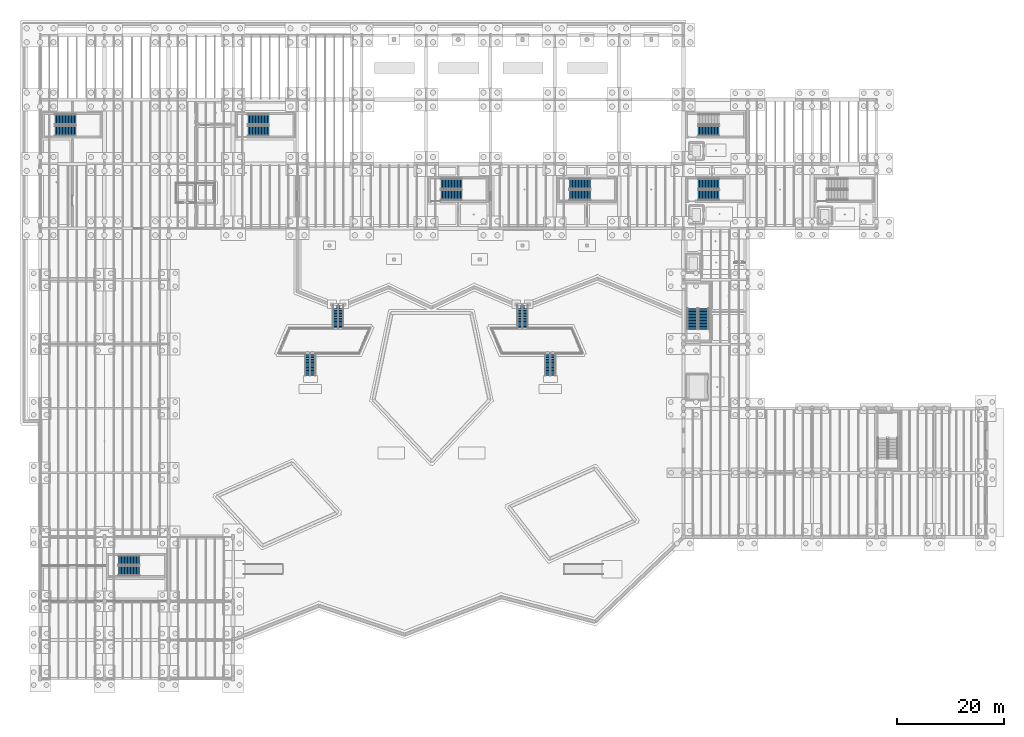
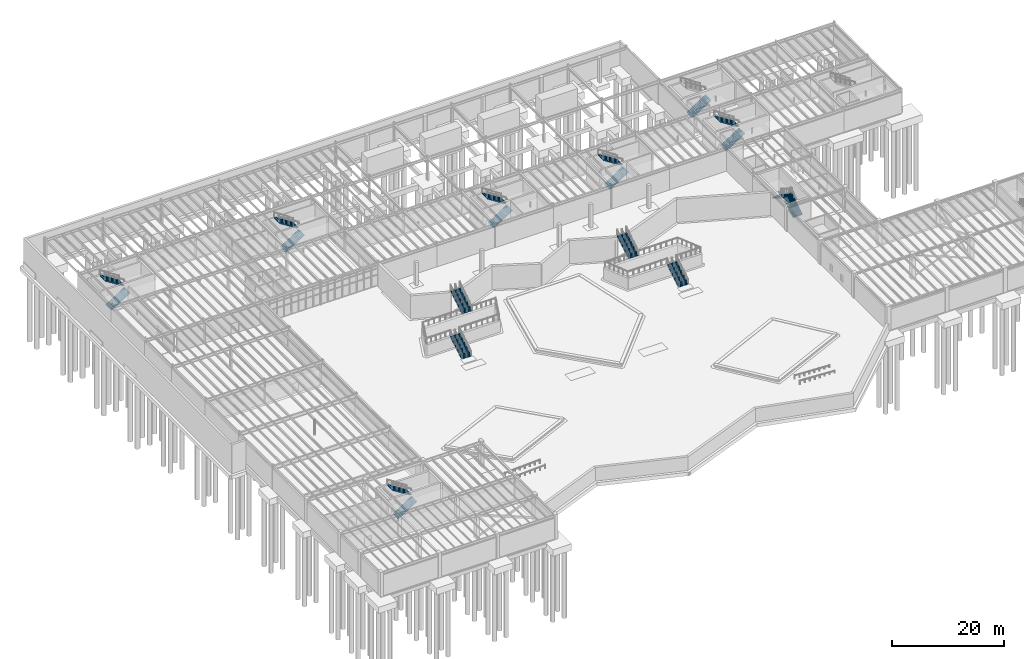
# One storey, part 40 of 67: 19 stair flights, 10 elements without a shape of their own.
"""IFC4 building model written with IfcOpenShell, lengths in metres."""

from ifc_helpers import new_model, si_unit, direction, frame, origin, place, context, subcontext, project, spatial, polyline, outline, extrude, material, type_object, element, aggregate, save


model = new_model("IFC4")

# Units and contexts
model_context = context("Model", 3, precision=1e-05, world=origin(), true_north=direction((0.0, 1.0)))
body_context = subcontext(model_context, "Body", "Model", "MODEL_VIEW")
ifc_project = project(units=[si_unit("LENGTHUNIT", "METRE"), si_unit("AREAUNIT", "SQUARE_METRE"), si_unit("VOLUMEUNIT", "CUBIC_METRE"), si_unit("PLANEANGLEUNIT", "RADIAN"), si_unit("MASSUNIT", "GRAM", prefix="KILO")], contexts=[model_context])

# Site, building, storey
site_placement = place(None, origin())
site = spatial("IfcSite", under=ifc_project, at=site_placement, CompositionType="ELEMENT")
building_placement = place(site_placement, origin())
building = spatial("IfcBuilding", under=site, at=building_placement, Name="Zlatogorsky Bluff Art Gallery", CompositionType="ELEMENT")
storey_placement = place(building_placement, frame((0.0, 0.0, -5.39990234375)))
storey = spatial("IfcBuildingStorey", under=building, at=storey_placement, Name="B1", CompositionType="ELEMENT", Elevation=-5.39990234375)

# Stair, stair flights
ifc_material = material(Name="Concrete C30/37", Category="concrete")
stair_type_1 = type_object("IfcStairType", Name="Protected Dogleg Stair ST-T1", PredefinedType="HALF_TURN_STAIR", material=ifc_material)
stair_1_placement = place(storey_placement, origin())
stair_1 = element("IfcStair", 1, at=stair_1_placement, inside=storey, type_object=stair_type_1, Name="B1 Protected Exit Stair ST-09", PredefinedType="HALF_TURN_STAIR")
stair_flight_type_1 = type_object("IfcStairFlightType", Name="Stair Flight ST-T1", PredefinedType="STRAIGHT", material=ifc_material)
stair_flight_1_placement = place(storey_placement, frame((14.60009765625, 20.10009765625, 0.0), z_axis=(0.0, 0.0, 1.0), x_axis=(1.0, 0.0, 0.0)))
stair_flight_1 = element("IfcStairFlight", 2, at=stair_flight_1_placement, type_object=stair_flight_type_1, Name="ST-09 flight 1", NumberOfRisers=15, NumberOfTreads=14, PredefinedType="STRAIGHT", RiserHeight=0.18, TreadLength=0.28, context=body_context, shape_type="SweptSolid", body=[
    extrude(outline(polyline([(0.0, 0.0), (0.0, 0.179931640625), (0.280029296875, 0.179931640625), (0.280029296875, 0.360107421875), (0.56005859375, 0.360107421875), (0.56005859375, 0.5400390625), (0.840087890625, 0.5400390625), (0.840087890625, 0.719970703125), (1.1201171875, 0.719970703125), (1.1201171875, 0.89990234375), (1.39990234375, 0.89990234375), (1.39990234375, 1.080078125), (1.679931640625, 1.080078125), (1.679931640625, 1.260009765625), (1.9599609375, 1.260009765625), (1.9599609375, 1.43994140625), (2.239990234375, 1.43994140625), (2.239990234375, 1.6201171875), (2.52001953125, 1.6201171875), (2.52001953125, 1.800048828125), (2.800048828125, 1.800048828125), (2.800048828125, 1.97998046875), (3.080078125, 1.97998046875), (3.080078125, 2.159912109375), (3.360107421875, 2.159912109375), (3.360107421875, 2.340087890625), (3.639892578125, 2.340087890625), (3.639892578125, 2.52001953125), (3.919921875, 2.52001953125), (3.919921875, 2.699951171875), (3.919921875, 2.30615234375), (0.332763671875, 0.0), (0.0, 0.0)])), frame((0.0, 0.89990234375, 0.0), z_axis=(0.0, -1.0, 0.0), x_axis=(1.0, 0.0, 0.0)), (0.0, 0.0, 1.0), 1.800048828125),
])
stair_flight_2_placement = place(storey_placement, frame((18.52001953125, 22.050048828125, 2.699951171875), z_axis=(0.0, 0.0, 1.0), x_axis=(-1.0, 0.0, 0.0)))
stair_flight_2 = element("IfcStairFlight", 3, at=stair_flight_2_placement, type_object=stair_flight_type_1, Name="ST-09 flight 2", NumberOfRisers=15, NumberOfTreads=14, PredefinedType="STRAIGHT", RiserHeight=0.18, TreadLength=0.28, context=body_context, shape_type="SweptSolid", body=[
    extrude(outline(polyline([(0.0, 0.0), (0.0, 0.179931640625), (0.280029296875, 0.179931640625), (0.280029296875, 0.360107421875), (0.56005859375, 0.360107421875), (0.56005859375, 0.5400390625), (0.840087890625, 0.5400390625), (0.840087890625, 0.719970703125), (1.1201171875, 0.719970703125), (1.1201171875, 0.89990234375), (1.39990234375, 0.89990234375), (1.39990234375, 1.080078125), (1.679931640625, 1.080078125), (1.679931640625, 1.260009765625), (1.9599609375, 1.260009765625), (1.9599609375, 1.43994140625), (2.239990234375, 1.43994140625), (2.239990234375, 1.6201171875), (2.52001953125, 1.6201171875), (2.52001953125, 1.800048828125), (2.800048828125, 1.800048828125), (2.800048828125, 1.97998046875), (3.080078125, 1.97998046875), (3.080078125, 2.159912109375), (3.360107421875, 2.159912109375), (3.360107421875, 2.340087890625), (3.639892578125, 2.340087890625), (3.639892578125, 2.52001953125), (3.919921875, 2.52001953125), (3.919921875, 2.699951171875), (3.919921875, 2.30615234375), (0.332763671875, 0.0), (0.0, 0.0)])), frame((0.0, 0.89990234375, 0.0), z_axis=(0.0, -1.0, 0.0), x_axis=(1.0, 0.0, 0.0)), (0.0, 0.0, 1.0), 1.800048828125),
])
aggregate(stair_1, [stair_flight_1, stair_flight_2])

stair_type_2 = type_object("IfcStairType", Name="Protected Dogleg Stair ST-T3", PredefinedType="HALF_TURN_STAIR", material=ifc_material)
stair_2_placement = place(storey_placement, origin())
stair_2 = element("IfcStair", 4, at=stair_2_placement, inside=storey, type_object=stair_type_2, Name="B1 Protected Exit Stair ST-01", PredefinedType="HALF_TURN_STAIR")
stair_flight_type_2 = type_object("IfcStairFlightType", Name="Stair Flight ST-T3", PredefinedType="STRAIGHT", material=ifc_material)
stair_flight_3_placement = place(storey_placement, frame((98.75, 90.175048828125, 0.0), z_axis=(0.0, 0.0, 1.0), x_axis=(1.0, 0.0, 0.0)))
stair_flight_3 = element("IfcStairFlight", 5, at=stair_flight_3_placement, type_object=stair_flight_type_2, Name="ST-01 flight 1", NumberOfRisers=15, NumberOfTreads=14, PredefinedType="STRAIGHT", RiserHeight=0.18, TreadLength=0.28, context=body_context, shape_type="SweptSolid", body=[
    extrude(outline(polyline([(0.0, 0.0), (0.0, 0.179931640625), (0.280029296875, 0.179931640625), (0.280029296875, 0.360107421875), (0.56005859375, 0.360107421875), (0.56005859375, 0.5400390625), (0.840087890625, 0.5400390625), (0.840087890625, 0.719970703125), (1.1201171875, 0.719970703125), (1.1201171875, 0.89990234375), (1.39990234375, 0.89990234375), (1.39990234375, 1.080078125), (1.679931640625, 1.080078125), (1.679931640625, 1.260009765625), (1.9599609375, 1.260009765625), (1.9599609375, 1.43994140625), (2.239990234375, 1.43994140625), (2.239990234375, 1.6201171875), (2.52001953125, 1.6201171875), (2.52001953125, 1.800048828125), (2.800048828125, 1.800048828125), (2.800048828125, 1.97998046875), (3.080078125, 1.97998046875), (3.080078125, 2.159912109375), (3.360107421875, 2.159912109375), (3.360107421875, 2.340087890625), (3.639892578125, 2.340087890625), (3.639892578125, 2.52001953125), (3.919921875, 2.52001953125), (3.919921875, 2.699951171875), (3.919921875, 2.30615234375), (0.332763671875, 0.0), (0.0, 0.0)])), frame((0.0, 0.97509765625, 0.0), z_axis=(0.0, -1.0, 0.0), x_axis=(1.0, 0.0, 0.0)), (0.0, 0.0, 1.0), 1.949951171875),
])
stair_flight_4_placement = place(storey_placement, frame((102.669921875, 92.27490234375, 2.699951171875), z_axis=(0.0, 0.0, 1.0), x_axis=(-1.0, 0.0, 0.0)))
stair_flight_4 = element("IfcStairFlight", 6, at=stair_flight_4_placement, type_object=stair_flight_type_2, Name="ST-01 flight 2", NumberOfRisers=15, NumberOfTreads=14, PredefinedType="STRAIGHT", RiserHeight=0.18, TreadLength=0.28, context=body_context, shape_type="SweptSolid", body=[
    extrude(outline(polyline([(0.0, 0.0), (0.0, 0.179931640625), (0.280029296875, 0.179931640625), (0.280029296875, 0.360107421875), (0.56005859375, 0.360107421875), (0.56005859375, 0.5400390625), (0.840087890625, 0.5400390625), (0.840087890625, 0.719970703125), (1.1201171875, 0.719970703125), (1.1201171875, 0.89990234375), (1.39990234375, 0.89990234375), (1.39990234375, 1.080078125), (1.679931640625, 1.080078125), (1.679931640625, 1.260009765625), (1.9599609375, 1.260009765625), (1.9599609375, 1.43994140625), (2.239990234375, 1.43994140625), (2.239990234375, 1.6201171875), (2.52001953125, 1.6201171875), (2.52001953125, 1.800048828125), (2.800048828125, 1.800048828125), (2.800048828125, 1.97998046875), (3.080078125, 1.97998046875), (3.080078125, 2.159912109375), (3.360107421875, 2.159912109375), (3.360107421875, 2.340087890625), (3.639892578125, 2.340087890625), (3.639892578125, 2.52001953125), (3.919921875, 2.52001953125), (3.919921875, 2.699951171875), (3.919921875, 2.30615234375), (0.332763671875, 0.0), (0.0, 0.0)])), frame((0.0, 0.97509765625, 0.0), z_axis=(0.0, -1.0, 0.0), x_axis=(1.0, 0.0, 0.0)), (0.0, 0.0, 1.0), 1.949951171875),
])
aggregate(stair_2, [stair_flight_3, stair_flight_4])

stair_3_placement = place(storey_placement, origin())
stair_3 = element("IfcStair", 7, at=stair_3_placement, inside=storey, type_object=stair_type_2, Name="B1 Protected Exit Stair ST-02", PredefinedType="HALF_TURN_STAIR")
stair_flight_5_placement = place(storey_placement, frame((122.75, 90.175048828125, 0.0), z_axis=(0.0, 0.0, 1.0), x_axis=(1.0, 0.0, 0.0)))
stair_flight_5 = element("IfcStairFlight", 8, at=stair_flight_5_placement, type_object=stair_flight_type_2, Name="ST-02 flight 1", NumberOfRisers=15, NumberOfTreads=14, PredefinedType="STRAIGHT", RiserHeight=0.18, TreadLength=0.28, context=body_context, shape_type="SweptSolid", body=[
    extrude(outline(polyline([(0.0, 0.0), (0.0, 0.179931640625), (0.280029296875, 0.179931640625), (0.280029296875, 0.360107421875), (0.56005859375, 0.360107421875), (0.56005859375, 0.5400390625), (0.840087890625, 0.5400390625), (0.840087890625, 0.719970703125), (1.1201171875, 0.719970703125), (1.1201171875, 0.89990234375), (1.39990234375, 0.89990234375), (1.39990234375, 1.080078125), (1.679931640625, 1.080078125), (1.679931640625, 1.260009765625), (1.9599609375, 1.260009765625), (1.9599609375, 1.43994140625), (2.239990234375, 1.43994140625), (2.239990234375, 1.6201171875), (2.52001953125, 1.6201171875), (2.52001953125, 1.800048828125), (2.800048828125, 1.800048828125), (2.800048828125, 1.97998046875), (3.080078125, 1.97998046875), (3.080078125, 2.159912109375), (3.360107421875, 2.159912109375), (3.360107421875, 2.340087890625), (3.639892578125, 2.340087890625), (3.639892578125, 2.52001953125), (3.919921875, 2.52001953125), (3.919921875, 2.699951171875), (3.919921875, 2.30615234375), (0.332763671875, 0.0), (0.0, 0.0)])), frame((0.0, 0.97509765625, 0.0), z_axis=(0.0, -1.0, 0.0), x_axis=(1.0, 0.0, 0.0)), (0.0, 0.0, 1.0), 1.949951171875),
])
stair_flight_6_placement = place(storey_placement, frame((126.669921875, 92.27490234375, 2.699951171875), z_axis=(0.0, 0.0, 1.0), x_axis=(-1.0, 0.0, 0.0)))
stair_flight_6 = element("IfcStairFlight", 9, at=stair_flight_6_placement, type_object=stair_flight_type_2, Name="ST-02 flight 2", NumberOfRisers=15, NumberOfTreads=14, PredefinedType="STRAIGHT", RiserHeight=0.18, TreadLength=0.28, context=body_context, shape_type="SweptSolid", body=[
    extrude(outline(polyline([(0.0, 0.0), (0.0, 0.179931640625), (0.280029296875, 0.179931640625), (0.280029296875, 0.360107421875), (0.56005859375, 0.360107421875), (0.56005859375, 0.5400390625), (0.840087890625, 0.5400390625), (0.840087890625, 0.719970703125), (1.1201171875, 0.719970703125), (1.1201171875, 0.89990234375), (1.39990234375, 0.89990234375), (1.39990234375, 1.080078125), (1.679931640625, 1.080078125), (1.679931640625, 1.260009765625), (1.9599609375, 1.260009765625), (1.9599609375, 1.43994140625), (2.239990234375, 1.43994140625), (2.239990234375, 1.6201171875), (2.52001953125, 1.6201171875), (2.52001953125, 1.800048828125), (2.800048828125, 1.800048828125), (2.800048828125, 1.97998046875), (3.080078125, 1.97998046875), (3.080078125, 2.159912109375), (3.360107421875, 2.159912109375), (3.360107421875, 2.340087890625), (3.639892578125, 2.340087890625), (3.639892578125, 2.52001953125), (3.919921875, 2.52001953125), (3.919921875, 2.699951171875), (3.919921875, 2.30615234375), (0.332763671875, 0.0), (0.0, 0.0)])), frame((0.0, 0.97509765625, 0.0), z_axis=(0.0, -1.0, 0.0), x_axis=(1.0, 0.0, 0.0)), (0.0, 0.0, 1.0), 1.949951171875),
])
aggregate(stair_3, [stair_flight_5, stair_flight_6])

# Stair, stair flight
stair_4_placement = place(storey_placement, origin())
stair_4 = element("IfcStair", 10, at=stair_4_placement, inside=storey, type_object=stair_type_2, Name="B1 Protected Exit Stair ST-03", PredefinedType="HALF_TURN_STAIR")
stair_flight_7_placement = place(storey_placement, frame((122.75, 102.175048828125, 0.0), z_axis=(0.0, 0.0, 1.0), x_axis=(1.0, 0.0, 0.0)))
stair_flight_7 = element("IfcStairFlight", 11, at=stair_flight_7_placement, type_object=stair_flight_type_2, Name="ST-03 flight 1", NumberOfRisers=15, NumberOfTreads=14, PredefinedType="STRAIGHT", RiserHeight=0.18, TreadLength=0.28, context=body_context, shape_type="SweptSolid", body=[
    extrude(outline(polyline([(0.0, 0.0), (0.0, 0.179931640625), (0.280029296875, 0.179931640625), (0.280029296875, 0.360107421875), (0.56005859375, 0.360107421875), (0.56005859375, 0.5400390625), (0.840087890625, 0.5400390625), (0.840087890625, 0.719970703125), (1.1201171875, 0.719970703125), (1.1201171875, 0.89990234375), (1.39990234375, 0.89990234375), (1.39990234375, 1.080078125), (1.679931640625, 1.080078125), (1.679931640625, 1.260009765625), (1.9599609375, 1.260009765625), (1.9599609375, 1.43994140625), (2.239990234375, 1.43994140625), (2.239990234375, 1.6201171875), (2.52001953125, 1.6201171875), (2.52001953125, 1.800048828125), (2.800048828125, 1.800048828125), (2.800048828125, 1.97998046875), (3.080078125, 1.97998046875), (3.080078125, 2.159912109375), (3.360107421875, 2.159912109375), (3.360107421875, 2.340087890625), (3.639892578125, 2.340087890625), (3.639892578125, 2.52001953125), (3.919921875, 2.52001953125), (3.919921875, 2.699951171875), (3.919921875, 2.30615234375), (0.332763671875, 0.0), (0.0, 0.0)])), frame((0.0, 0.97509765625, 0.0), z_axis=(0.0, -1.0, 0.0), x_axis=(1.0, 0.0, 0.0)), (0.0, 0.0, 1.0), 1.949951171875),
])
aggregate(stair_4, [stair_flight_7])

# Stair, stair flights
stair_5_placement = place(storey_placement, origin())
stair_5 = element("IfcStair", 12, at=stair_5_placement, inside=storey, type_object=stair_type_2, Name="B1 Protected Exit Stair ST-05", PredefinedType="HALF_TURN_STAIR")
stair_flight_8_placement = place(storey_placement, frame((2.75, 102.175048828125, 0.0), z_axis=(0.0, 0.0, 1.0), x_axis=(1.0, 0.0, 0.0)))
stair_flight_8 = element("IfcStairFlight", 13, at=stair_flight_8_placement, type_object=stair_flight_type_2, Name="ST-05 flight 1", NumberOfRisers=15, NumberOfTreads=14, PredefinedType="STRAIGHT", RiserHeight=0.18, TreadLength=0.28, context=body_context, shape_type="SweptSolid", body=[
    extrude(outline(polyline([(0.0, 0.0), (0.0, 0.179931640625), (0.280029296875, 0.179931640625), (0.280029296875, 0.360107421875), (0.56005859375, 0.360107421875), (0.56005859375, 0.5400390625), (0.840087890625, 0.5400390625), (0.840087890625, 0.719970703125), (1.1201171875, 0.719970703125), (1.1201171875, 0.89990234375), (1.39990234375, 0.89990234375), (1.39990234375, 1.080078125), (1.679931640625, 1.080078125), (1.679931640625, 1.260009765625), (1.9599609375, 1.260009765625), (1.9599609375, 1.43994140625), (2.239990234375, 1.43994140625), (2.239990234375, 1.6201171875), (2.52001953125, 1.6201171875), (2.52001953125, 1.800048828125), (2.800048828125, 1.800048828125), (2.800048828125, 1.97998046875), (3.080078125, 1.97998046875), (3.080078125, 2.159912109375), (3.360107421875, 2.159912109375), (3.360107421875, 2.340087890625), (3.639892578125, 2.340087890625), (3.639892578125, 2.52001953125), (3.919921875, 2.52001953125), (3.919921875, 2.699951171875), (3.919921875, 2.30615234375), (0.332763671875, 0.0), (0.0, 0.0)])), frame((0.0, 0.97509765625, 0.0), z_axis=(0.0, -1.0, 0.0), x_axis=(1.0, 0.0, 0.0)), (0.0, 0.0, 1.0), 1.949951171875),
])
stair_flight_9_placement = place(storey_placement, frame((6.669921875, 104.27490234375, 2.699951171875), z_axis=(0.0, 0.0, 1.0), x_axis=(-1.0, 0.0, 0.0)))
stair_flight_9 = element("IfcStairFlight", 14, at=stair_flight_9_placement, type_object=stair_flight_type_2, Name="ST-05 flight 2", NumberOfRisers=15, NumberOfTreads=14, PredefinedType="STRAIGHT", RiserHeight=0.18, TreadLength=0.28, context=body_context, shape_type="SweptSolid", body=[
    extrude(outline(polyline([(0.0, 0.0), (0.0, 0.179931640625), (0.280029296875, 0.179931640625), (0.280029296875, 0.360107421875), (0.56005859375, 0.360107421875), (0.56005859375, 0.5400390625), (0.840087890625, 0.5400390625), (0.840087890625, 0.719970703125), (1.1201171875, 0.719970703125), (1.1201171875, 0.89990234375), (1.39990234375, 0.89990234375), (1.39990234375, 1.080078125), (1.679931640625, 1.080078125), (1.679931640625, 1.260009765625), (1.9599609375, 1.260009765625), (1.9599609375, 1.43994140625), (2.239990234375, 1.43994140625), (2.239990234375, 1.6201171875), (2.52001953125, 1.6201171875), (2.52001953125, 1.800048828125), (2.800048828125, 1.800048828125), (2.800048828125, 1.97998046875), (3.080078125, 1.97998046875), (3.080078125, 2.159912109375), (3.360107421875, 2.159912109375), (3.360107421875, 2.340087890625), (3.639892578125, 2.340087890625), (3.639892578125, 2.52001953125), (3.919921875, 2.52001953125), (3.919921875, 2.699951171875), (3.919921875, 2.30615234375), (0.332763671875, 0.0), (0.0, 0.0)])), frame((0.0, 0.97509765625, 0.0), z_axis=(0.0, -1.0, 0.0), x_axis=(1.0, 0.0, 0.0)), (0.0, 0.0, 1.0), 1.949951171875),
])
aggregate(stair_5, [stair_flight_8, stair_flight_9])

stair_6_placement = place(storey_placement, origin())
stair_6 = element("IfcStair", 15, at=stair_6_placement, inside=storey, type_object=stair_type_2, Name="B1 Protected Exit Stair ST-06", PredefinedType="HALF_TURN_STAIR")
stair_flight_10_placement = place(storey_placement, frame((123.77490234375, 65.14990234375, 0.0), z_axis=(0.0, 0.0, 1.0), x_axis=(0.0, 1.0, 0.0)))
stair_flight_10 = element("IfcStairFlight", 16, at=stair_flight_10_placement, type_object=stair_flight_type_2, Name="ST-06 flight 1", NumberOfRisers=15, NumberOfTreads=14, PredefinedType="STRAIGHT", RiserHeight=0.18, TreadLength=0.28, context=body_context, shape_type="SweptSolid", body=[
    extrude(outline(polyline([(0.0, 0.0), (0.0, 0.179931640625), (0.280029296875, 0.179931640625), (0.280029296875, 0.360107421875), (0.56005859375, 0.360107421875), (0.56005859375, 0.5400390625), (0.840087890625, 0.5400390625), (0.840087890625, 0.719970703125), (1.1201171875, 0.719970703125), (1.1201171875, 0.89990234375), (1.39990234375, 0.89990234375), (1.39990234375, 1.080078125), (1.679931640625, 1.080078125), (1.679931640625, 1.260009765625), (1.9599609375, 1.260009765625), (1.9599609375, 1.43994140625), (2.239990234375, 1.43994140625), (2.239990234375, 1.6201171875), (2.52001953125, 1.6201171875), (2.52001953125, 1.800048828125), (2.800048828125, 1.800048828125), (2.800048828125, 1.97998046875), (3.080078125, 1.97998046875), (3.080078125, 2.159912109375), (3.360107421875, 2.159912109375), (3.360107421875, 2.340087890625), (3.639892578125, 2.340087890625), (3.639892578125, 2.52001953125), (3.919921875, 2.52001953125), (3.919921875, 2.699951171875), (3.919921875, 2.30615234375), (0.332763671875, 0.0), (0.0, 0.0)])), frame((0.0, 0.97509765625, 0.0), z_axis=(0.0, -1.0, 0.0), x_axis=(1.0, 0.0, 0.0)), (0.0, 0.0, 1.0), 1.949951171875),
])
stair_flight_11_placement = place(storey_placement, frame((121.675048828125, 69.070068359375, 2.699951171875), z_axis=(0.0, 0.0, 1.0), x_axis=(0.0, -1.0, 0.0)))
stair_flight_11 = element("IfcStairFlight", 17, at=stair_flight_11_placement, type_object=stair_flight_type_2, Name="ST-06 flight 2", NumberOfRisers=15, NumberOfTreads=14, PredefinedType="STRAIGHT", RiserHeight=0.18, TreadLength=0.28, context=body_context, shape_type="SweptSolid", body=[
    extrude(outline(polyline([(0.0, 0.0), (0.0, 0.179931640625), (0.280029296875, 0.179931640625), (0.280029296875, 0.360107421875), (0.56005859375, 0.360107421875), (0.56005859375, 0.5400390625), (0.840087890625, 0.5400390625), (0.840087890625, 0.719970703125), (1.1201171875, 0.719970703125), (1.1201171875, 0.89990234375), (1.39990234375, 0.89990234375), (1.39990234375, 1.080078125), (1.679931640625, 1.080078125), (1.679931640625, 1.260009765625), (1.9599609375, 1.260009765625), (1.9599609375, 1.43994140625), (2.239990234375, 1.43994140625), (2.239990234375, 1.6201171875), (2.52001953125, 1.6201171875), (2.52001953125, 1.800048828125), (2.800048828125, 1.800048828125), (2.800048828125, 1.97998046875), (3.080078125, 1.97998046875), (3.080078125, 2.159912109375), (3.360107421875, 2.159912109375), (3.360107421875, 2.340087890625), (3.639892578125, 2.340087890625), (3.639892578125, 2.52001953125), (3.919921875, 2.52001953125), (3.919921875, 2.699951171875), (3.919921875, 2.30615234375), (0.332763671875, 0.0), (0.0, 0.0)])), frame((0.0, 0.97509765625, 0.0), z_axis=(0.0, -1.0, 0.0), x_axis=(1.0, 0.0, 0.0)), (0.0, 0.0, 1.0), 1.949951171875),
])
aggregate(stair_6, [stair_flight_10, stair_flight_11])

stair_7_placement = place(storey_placement, origin())
stair_7 = element("IfcStair", 18, at=stair_7_placement, inside=storey, type_object=stair_type_2, Name="B1 Protected Exit Stair ST-07", PredefinedType="HALF_TURN_STAIR")
stair_flight_12_placement = place(storey_placement, frame((38.75, 102.175048828125, 0.0), z_axis=(0.0, 0.0, 1.0), x_axis=(1.0, 0.0, 0.0)))
stair_flight_12 = element("IfcStairFlight", 19, at=stair_flight_12_placement, type_object=stair_flight_type_2, Name="ST-07 flight 1", NumberOfRisers=15, NumberOfTreads=14, PredefinedType="STRAIGHT", RiserHeight=0.18, TreadLength=0.28, context=body_context, shape_type="SweptSolid", body=[
    extrude(outline(polyline([(0.0, 0.0), (0.0, 0.179931640625), (0.280029296875, 0.179931640625), (0.280029296875, 0.360107421875), (0.56005859375, 0.360107421875), (0.56005859375, 0.5400390625), (0.840087890625, 0.5400390625), (0.840087890625, 0.719970703125), (1.1201171875, 0.719970703125), (1.1201171875, 0.89990234375), (1.39990234375, 0.89990234375), (1.39990234375, 1.080078125), (1.679931640625, 1.080078125), (1.679931640625, 1.260009765625), (1.9599609375, 1.260009765625), (1.9599609375, 1.43994140625), (2.239990234375, 1.43994140625), (2.239990234375, 1.6201171875), (2.52001953125, 1.6201171875), (2.52001953125, 1.800048828125), (2.800048828125, 1.800048828125), (2.800048828125, 1.97998046875), (3.080078125, 1.97998046875), (3.080078125, 2.159912109375), (3.360107421875, 2.159912109375), (3.360107421875, 2.340087890625), (3.639892578125, 2.340087890625), (3.639892578125, 2.52001953125), (3.919921875, 2.52001953125), (3.919921875, 2.699951171875), (3.919921875, 2.30615234375), (0.332763671875, 0.0), (0.0, 0.0)])), frame((0.0, 0.97509765625, 0.0), z_axis=(0.0, -1.0, 0.0), x_axis=(1.0, 0.0, 0.0)), (0.0, 0.0, 1.0), 1.949951171875),
])
stair_flight_13_placement = place(storey_placement, frame((42.669921875, 104.27490234375, 2.699951171875), z_axis=(0.0, 0.0, 1.0), x_axis=(-1.0, 0.0, 0.0)))
stair_flight_13 = element("IfcStairFlight", 20, at=stair_flight_13_placement, type_object=stair_flight_type_2, Name="ST-07 flight 2", NumberOfRisers=15, NumberOfTreads=14, PredefinedType="STRAIGHT", RiserHeight=0.18, TreadLength=0.28, context=body_context, shape_type="SweptSolid", body=[
    extrude(outline(polyline([(0.0, 0.0), (0.0, 0.179931640625), (0.280029296875, 0.179931640625), (0.280029296875, 0.360107421875), (0.56005859375, 0.360107421875), (0.56005859375, 0.5400390625), (0.840087890625, 0.5400390625), (0.840087890625, 0.719970703125), (1.1201171875, 0.719970703125), (1.1201171875, 0.89990234375), (1.39990234375, 0.89990234375), (1.39990234375, 1.080078125), (1.679931640625, 1.080078125), (1.679931640625, 1.260009765625), (1.9599609375, 1.260009765625), (1.9599609375, 1.43994140625), (2.239990234375, 1.43994140625), (2.239990234375, 1.6201171875), (2.52001953125, 1.6201171875), (2.52001953125, 1.800048828125), (2.800048828125, 1.800048828125), (2.800048828125, 1.97998046875), (3.080078125, 1.97998046875), (3.080078125, 2.159912109375), (3.360107421875, 2.159912109375), (3.360107421875, 2.340087890625), (3.639892578125, 2.340087890625), (3.639892578125, 2.52001953125), (3.919921875, 2.52001953125), (3.919921875, 2.699951171875), (3.919921875, 2.30615234375), (0.332763671875, 0.0), (0.0, 0.0)])), frame((0.0, 0.97509765625, 0.0), z_axis=(0.0, -1.0, 0.0), x_axis=(1.0, 0.0, 0.0)), (0.0, 0.0, 1.0), 1.949951171875),
])
aggregate(stair_7, [stair_flight_12, stair_flight_13])

stair_8_placement = place(storey_placement, origin())
stair_8 = element("IfcStair", 21, at=stair_8_placement, inside=storey, type_object=stair_type_2, Name="B1 Protected Exit Stair ST-08", PredefinedType="HALF_TURN_STAIR")
stair_flight_14_placement = place(storey_placement, frame((74.75, 90.175048828125, 0.0), z_axis=(0.0, 0.0, 1.0), x_axis=(1.0, 0.0, 0.0)))
stair_flight_14 = element("IfcStairFlight", 22, at=stair_flight_14_placement, type_object=stair_flight_type_2, Name="ST-08 flight 1", NumberOfRisers=15, NumberOfTreads=14, PredefinedType="STRAIGHT", RiserHeight=0.18, TreadLength=0.28, context=body_context, shape_type="SweptSolid", body=[
    extrude(outline(polyline([(0.0, 0.0), (0.0, 0.179931640625), (0.280029296875, 0.179931640625), (0.280029296875, 0.360107421875), (0.56005859375, 0.360107421875), (0.56005859375, 0.5400390625), (0.840087890625, 0.5400390625), (0.840087890625, 0.719970703125), (1.1201171875, 0.719970703125), (1.1201171875, 0.89990234375), (1.39990234375, 0.89990234375), (1.39990234375, 1.080078125), (1.679931640625, 1.080078125), (1.679931640625, 1.260009765625), (1.9599609375, 1.260009765625), (1.9599609375, 1.43994140625), (2.239990234375, 1.43994140625), (2.239990234375, 1.6201171875), (2.52001953125, 1.6201171875), (2.52001953125, 1.800048828125), (2.800048828125, 1.800048828125), (2.800048828125, 1.97998046875), (3.080078125, 1.97998046875), (3.080078125, 2.159912109375), (3.360107421875, 2.159912109375), (3.360107421875, 2.340087890625), (3.639892578125, 2.340087890625), (3.639892578125, 2.52001953125), (3.919921875, 2.52001953125), (3.919921875, 2.699951171875), (3.919921875, 2.30615234375), (0.332763671875, 0.0), (0.0, 0.0)])), frame((0.0, 0.97509765625, 0.0), z_axis=(0.0, -1.0, 0.0), x_axis=(1.0, 0.0, 0.0)), (0.0, 0.0, 1.0), 1.949951171875),
])
stair_flight_15_placement = place(storey_placement, frame((78.669921875, 92.27490234375, 2.699951171875), z_axis=(0.0, 0.0, 1.0), x_axis=(-1.0, 0.0, 0.0)))
stair_flight_15 = element("IfcStairFlight", 23, at=stair_flight_15_placement, type_object=stair_flight_type_2, Name="ST-08 flight 2", NumberOfRisers=15, NumberOfTreads=14, PredefinedType="STRAIGHT", RiserHeight=0.18, TreadLength=0.28, context=body_context, shape_type="SweptSolid", body=[
    extrude(outline(polyline([(0.0, 0.0), (0.0, 0.179931640625), (0.280029296875, 0.179931640625), (0.280029296875, 0.360107421875), (0.56005859375, 0.360107421875), (0.56005859375, 0.5400390625), (0.840087890625, 0.5400390625), (0.840087890625, 0.719970703125), (1.1201171875, 0.719970703125), (1.1201171875, 0.89990234375), (1.39990234375, 0.89990234375), (1.39990234375, 1.080078125), (1.679931640625, 1.080078125), (1.679931640625, 1.260009765625), (1.9599609375, 1.260009765625), (1.9599609375, 1.43994140625), (2.239990234375, 1.43994140625), (2.239990234375, 1.6201171875), (2.52001953125, 1.6201171875), (2.52001953125, 1.800048828125), (2.800048828125, 1.800048828125), (2.800048828125, 1.97998046875), (3.080078125, 1.97998046875), (3.080078125, 2.159912109375), (3.360107421875, 2.159912109375), (3.360107421875, 2.340087890625), (3.639892578125, 2.340087890625), (3.639892578125, 2.52001953125), (3.919921875, 2.52001953125), (3.919921875, 2.699951171875), (3.919921875, 2.30615234375), (0.332763671875, 0.0), (0.0, 0.0)])), frame((0.0, 0.97509765625, 0.0), z_axis=(0.0, -1.0, 0.0), x_axis=(1.0, 0.0, 0.0)), (0.0, 0.0, 1.0), 1.949951171875),
])
aggregate(stair_8, [stair_flight_14, stair_flight_15])

stair_type_3 = type_object("IfcStairType", Name="Protected Dogleg Stair ST-T3A", PredefinedType="HALF_TURN_STAIR", material=ifc_material)
stair_9_placement = place(storey_placement, origin())
stair_9 = element("IfcStair", 24, at=stair_9_placement, inside=storey, type_object=stair_type_3, Name="West Sunken Education Court Monumental Amphitheatre Stair", PredefinedType="HALF_TURN_STAIR")
stair_flight_type_3 = type_object("IfcStairFlightType", Name="Stair Flight ST-T3A", PredefinedType="STRAIGHT", material=ifc_material)
stair_flight_16_placement = place(storey_placement, frame((50.39990234375, 56.550048828125, 0.0), z_axis=(0.0, 0.0, 1.0), x_axis=(0.0, 1.0, 0.0)))
stair_flight_16 = element("IfcStairFlight", 25, at=stair_flight_16_placement, type_object=stair_flight_type_3, Name="West Sunken Education Court Monumental Amphitheatre Stair lower flight", NumberOfRisers=15, NumberOfTreads=14, PredefinedType="STRAIGHT", RiserHeight=0.18, TreadLength=0.3, context=body_context, shape_type="SweptSolid", body=[
    extrude(outline(polyline([(0.0, 0.0), (0.0, 0.179931640625), (0.300048828125, 0.179931640625), (0.300048828125, 0.360107421875), (0.60009765625, 0.360107421875), (0.60009765625, 0.5400390625), (0.89990234375, 0.5400390625), (0.89990234375, 0.719970703125), (1.199951171875, 0.719970703125), (1.199951171875, 0.89990234375), (1.5, 0.89990234375), (1.5, 1.080078125), (1.800048828125, 1.080078125), (1.800048828125, 1.260009765625), (2.10009765625, 1.260009765625), (2.10009765625, 1.43994140625), (2.39990234375, 1.43994140625), (2.39990234375, 1.6201171875), (2.699951171875, 1.6201171875), (2.699951171875, 1.800048828125), (3.0, 1.800048828125), (3.0, 1.97998046875), (3.300048828125, 1.97998046875), (3.300048828125, 2.159912109375), (3.60009765625, 2.159912109375), (3.60009765625, 2.340087890625), (3.89990234375, 2.340087890625), (3.89990234375, 2.52001953125), (4.199951171875, 2.52001953125), (4.199951171875, 2.699951171875), (4.199951171875, 2.31005859375), (0.349609375, 0.0), (0.0, 0.0)])), frame((0.0, 1.0, 0.0), z_axis=(0.0, -1.0, 0.0), x_axis=(1.0, 0.0, 0.0)), (0.0, 0.0, 1.0), 2.0),
])
stair_flight_17_placement = place(storey_placement, frame((55.60009765625, 65.39990234375, 2.699951171875), z_axis=(0.0, 0.0, 1.0), x_axis=(0.0, 1.0, 0.0)))
stair_flight_17 = element("IfcStairFlight", 26, at=stair_flight_17_placement, type_object=stair_flight_type_3, Name="West Sunken Education Court Monumental Amphitheatre Stair upper flight", NumberOfRisers=15, NumberOfTreads=14, PredefinedType="STRAIGHT", RiserHeight=0.18, TreadLength=0.3, context=body_context, shape_type="SweptSolid", body=[
    extrude(outline(polyline([(0.0, 0.0), (0.0, 0.179931640625), (0.300048828125, 0.179931640625), (0.300048828125, 0.360107421875), (0.60009765625, 0.360107421875), (0.60009765625, 0.5400390625), (0.89990234375, 0.5400390625), (0.89990234375, 0.719970703125), (1.199951171875, 0.719970703125), (1.199951171875, 0.89990234375), (1.5, 0.89990234375), (1.5, 1.080078125), (1.800048828125, 1.080078125), (1.800048828125, 1.260009765625), (2.10009765625, 1.260009765625), (2.10009765625, 1.43994140625), (2.39990234375, 1.43994140625), (2.39990234375, 1.6201171875), (2.699951171875, 1.6201171875), (2.699951171875, 1.800048828125), (3.0, 1.800048828125), (3.0, 1.97998046875), (3.300048828125, 1.97998046875), (3.300048828125, 2.159912109375), (3.60009765625, 2.159912109375), (3.60009765625, 2.340087890625), (3.89990234375, 2.340087890625), (3.89990234375, 2.52001953125), (4.199951171875, 2.52001953125), (4.199951171875, 2.699951171875), (4.199951171875, 2.31005859375), (0.349609375, 0.0), (0.0, 0.0)])), frame((0.0, 1.0, 0.0), z_axis=(0.0, -1.0, 0.0), x_axis=(1.0, 0.0, 0.0)), (0.0, 0.0, 1.0), 2.0),
])
aggregate(stair_9, [stair_flight_16, stair_flight_17])

stair_10_placement = place(storey_placement, origin())
stair_10 = element("IfcStair", 27, at=stair_10_placement, inside=storey, type_object=stair_type_3, Name="East Sunken Sculpture Court Monumental Amphitheatre Stair", PredefinedType="HALF_TURN_STAIR")
stair_flight_18_placement = place(storey_placement, frame((95.199951171875, 56.550048828125, 0.0), z_axis=(0.0, 0.0, 1.0), x_axis=(0.0, 1.0, 0.0)))
stair_flight_18 = element("IfcStairFlight", 28, at=stair_flight_18_placement, type_object=stair_flight_type_3, Name="East Sunken Sculpture Court Monumental Amphitheatre Stair lower flight", NumberOfRisers=15, NumberOfTreads=14, PredefinedType="STRAIGHT", RiserHeight=0.18, TreadLength=0.3, context=body_context, shape_type="SweptSolid", body=[
    extrude(outline(polyline([(0.0, 0.0), (0.0, 0.179931640625), (0.300048828125, 0.179931640625), (0.300048828125, 0.360107421875), (0.60009765625, 0.360107421875), (0.60009765625, 0.5400390625), (0.89990234375, 0.5400390625), (0.89990234375, 0.719970703125), (1.199951171875, 0.719970703125), (1.199951171875, 0.89990234375), (1.5, 0.89990234375), (1.5, 1.080078125), (1.800048828125, 1.080078125), (1.800048828125, 1.260009765625), (2.10009765625, 1.260009765625), (2.10009765625, 1.43994140625), (2.39990234375, 1.43994140625), (2.39990234375, 1.6201171875), (2.699951171875, 1.6201171875), (2.699951171875, 1.800048828125), (3.0, 1.800048828125), (3.0, 1.97998046875), (3.300048828125, 1.97998046875), (3.300048828125, 2.159912109375), (3.60009765625, 2.159912109375), (3.60009765625, 2.340087890625), (3.89990234375, 2.340087890625), (3.89990234375, 2.52001953125), (4.199951171875, 2.52001953125), (4.199951171875, 2.699951171875), (4.199951171875, 2.31005859375), (0.349609375, 0.0), (0.0, 0.0)])), frame((0.0, 1.0, 0.0), z_axis=(0.0, -1.0, 0.0), x_axis=(1.0, 0.0, 0.0)), (0.0, 0.0, 1.0), 2.0),
])
stair_flight_19_placement = place(storey_placement, frame((90.0, 65.39990234375, 2.699951171875), z_axis=(0.0, 0.0, 1.0), x_axis=(0.0, 1.0, 0.0)))
stair_flight_19 = element("IfcStairFlight", 29, at=stair_flight_19_placement, type_object=stair_flight_type_3, Name="East Sunken Sculpture Court Monumental Amphitheatre Stair upper flight", NumberOfRisers=15, NumberOfTreads=14, PredefinedType="STRAIGHT", RiserHeight=0.18, TreadLength=0.3, context=body_context, shape_type="SweptSolid", body=[
    extrude(outline(polyline([(0.0, 0.0), (0.0, 0.179931640625), (0.300048828125, 0.179931640625), (0.300048828125, 0.360107421875), (0.60009765625, 0.360107421875), (0.60009765625, 0.5400390625), (0.89990234375, 0.5400390625), (0.89990234375, 0.719970703125), (1.199951171875, 0.719970703125), (1.199951171875, 0.89990234375), (1.5, 0.89990234375), (1.5, 1.080078125), (1.800048828125, 1.080078125), (1.800048828125, 1.260009765625), (2.10009765625, 1.260009765625), (2.10009765625, 1.43994140625), (2.39990234375, 1.43994140625), (2.39990234375, 1.6201171875), (2.699951171875, 1.6201171875), (2.699951171875, 1.800048828125), (3.0, 1.800048828125), (3.0, 1.97998046875), (3.300048828125, 1.97998046875), (3.300048828125, 2.159912109375), (3.60009765625, 2.159912109375), (3.60009765625, 2.340087890625), (3.89990234375, 2.340087890625), (3.89990234375, 2.52001953125), (4.199951171875, 2.52001953125), (4.199951171875, 2.699951171875), (4.199951171875, 2.31005859375), (0.349609375, 0.0), (0.0, 0.0)])), frame((0.0, 1.0, 0.0), z_axis=(0.0, -1.0, 0.0), x_axis=(1.0, 0.0, 0.0)), (0.0, 0.0, 1.0), 2.0),
])
aggregate(stair_10, [stair_flight_18, stair_flight_19])

save(model, "model.ifc")
